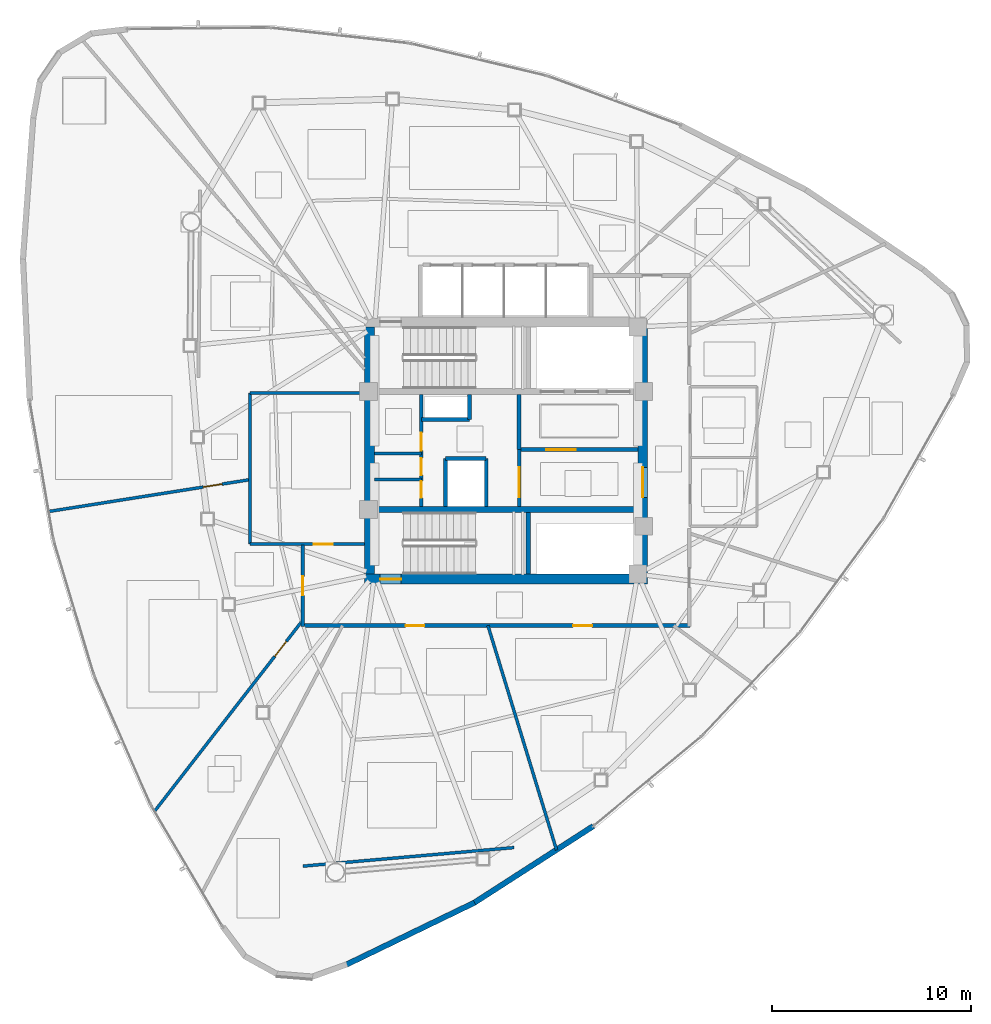
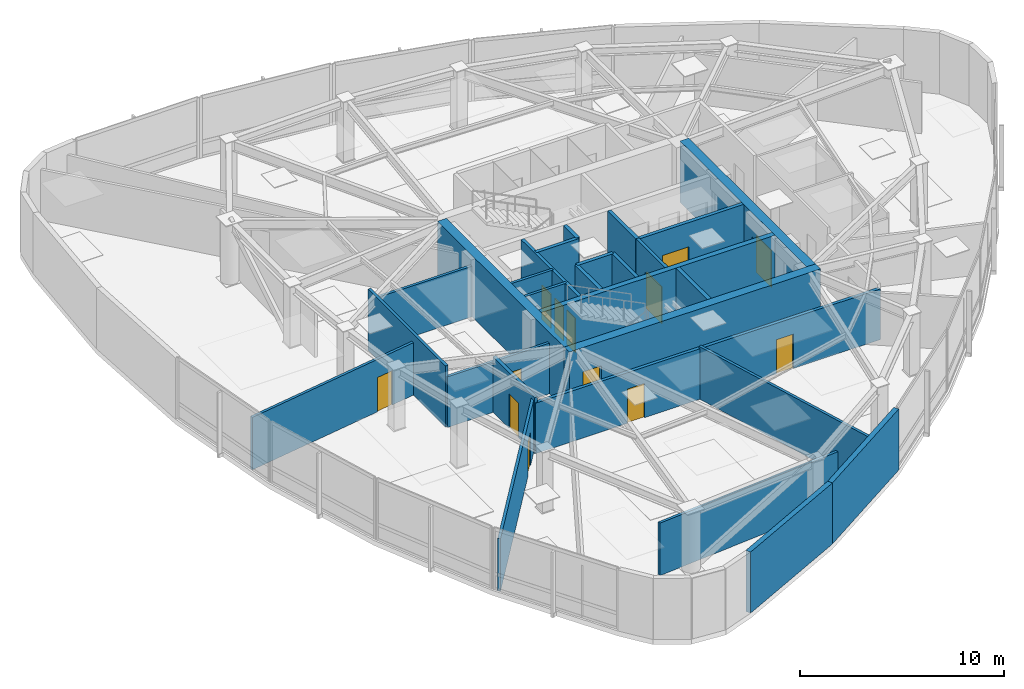
# One storey, part 10 of 15: 27 walls, 13 doors, 13 openings.
"""IFC4 building model written with IfcOpenShell, lengths in metres."""

from ifc_helpers import new_model, si_unit, direction, frame, frame_2d, origin, place, context, subcontext, project, spatial, rectangle, extrude, material, layer, layer_set, type_object, element, fill, save


model = new_model("IFC4")

# Units and contexts
model_context = context("Model", 3, precision=1e-05, world=origin(), true_north=direction((0.0, 1.0)))
body_context = subcontext(model_context, "Body", "Model", "MODEL_VIEW")
ifc_project = project(units=[si_unit("LENGTHUNIT", "METRE"), si_unit("AREAUNIT", "SQUARE_METRE"), si_unit("VOLUMEUNIT", "CUBIC_METRE"), si_unit("PLANEANGLEUNIT", "RADIAN"), si_unit("MASSUNIT", "GRAM", prefix="KILO")], contexts=[model_context])

# Site, building, storey
site_placement = place(None, origin())
site = spatial("IfcSite", under=ifc_project, at=site_placement, CompositionType="ELEMENT")
building_placement = place(site_placement, origin())
building = spatial("IfcBuilding", under=site, at=building_placement, Name="Tavelor Broadcast Tower", CompositionType="ELEMENT")
storey_placement = place(building_placement, frame((0.0, 0.0, 222.14990234375)))
storey = spatial("IfcBuildingStorey", under=building, at=storey_placement, Name="L52", CompositionType="ELEMENT", Elevation=222.14990234375)

# Wall, opening, door
ifc_material_1 = material(Name="Concrete C50/60", Category="concrete")
ifc_layer_1 = layer(ifc_material_1, 0.5)
ifc_layer_set_1 = layer_set([ifc_layer_1], Name="Concrete C50/60")
wall_type_1 = type_object("IfcWallType", Name="Core Shear Wall 500 mm", PredefinedType="SHEAR", material=ifc_layer_set_1)
wall_1_placement = place(storey_placement, frame((42.89990234375, 38.550048828125, 0.0), z_axis=(0.0, 0.0, 1.0), x_axis=(1.0, 0.0, 0.0)))
wall_1 = element("IfcWall", 1, at=wall_1_placement, inside=storey, type_object=wall_type_1, Name="L52 Central Core Shear Wall S", PredefinedType="SHEAR", context=body_context, shape_type="SweptSolid", body=[
    extrude(rectangle(XDim=14.2001953125, YDim=0.5, at=frame_2d((7.10009765625, 0.0))), origin(), (0.0, 0.0, 1.0), 3.650146484375),
])
opening_1_placement = place(wall_1_placement, frame((0.780029296875, 0.0, 0.0)))
opening_1 = element("IfcOpeningElement", 2, at=opening_1_placement, cuts=wall_1, Name="Opening DR11", PredefinedType="OPENING", context=body_context, shape_type="SweptSolid", body=[
    extrude(rectangle(XDim=1.050048828125, YDim=2.199951171875, at=frame_2d((0.52490234375, 1.10009765625))), frame((0.0, 0.260009765625, 0.0), z_axis=(0.0, -1.0, 0.0), x_axis=(1.0, 0.0, 0.0)), (0.0, 0.0, 1.0), 0.52001953125),
])
ifc_material_2 = material(Name="Steel S355", Category="steel")
door_type_1 = type_object("IfcDoorType", Name="Stair Core Fire Escape Door 1050x2200", OperationType="NOTDEFINED", PredefinedType="DOOR", material=ifc_material_2)
door_1_placement = place(opening_1_placement, origin())
door_1 = element("IfcDoor", 3, at=door_1_placement, inside=storey, type_object=door_type_1, Name="L52 Stair ST2 Protected Exit Door", OperationType="SINGLE_SWING_RIGHT", OverallHeight=2.199951171875, OverallWidth=1.050048828125, PredefinedType="DOOR", context=body_context, shape_type="SweptSolid", body=[
    extrude(rectangle(XDim=1.050048828125, YDim=2.199951171875, at=frame_2d((0.52490234375, 1.10009765625))), frame((0.0, 0.02490234375, 0.0), z_axis=(0.0, -1.0, 0.0), x_axis=(1.0, 0.0, 0.0)), (0.0, 0.0, 1.0), 0.050048828125),
])
fill(opening_1, door_1)

# Wall
wall_2_placement = place(storey_placement, frame((43.14990234375, 38.800048828125, 0.0), z_axis=(0.0, 0.0, 1.0), x_axis=(0.0, 1.0, 0.0)))
element("IfcWall", 4, at=wall_2_placement, inside=storey, type_object=wall_type_1, Name="L52 Central Core Shear Wall W", PredefinedType="SHEAR", context=body_context, shape_type="SweptSolid", body=[
    extrude(rectangle(XDim=12.39990234375, YDim=0.5, at=frame_2d((6.199951171875, 0.0))), origin(), (0.0, 0.0, 1.0), 3.650146484375),
])

# Wall, opening, door
wall_3_placement = place(storey_placement, frame((56.85009765625, 38.800048828125, 0.0), z_axis=(0.0, 0.0, 1.0), x_axis=(0.0, 1.0, 0.0)))
wall_3 = element("IfcWall", 5, at=wall_3_placement, inside=storey, type_object=wall_type_1, Name="L52 Central Core Shear Wall E", PredefinedType="SHEAR", context=body_context, shape_type="SweptSolid", body=[
    extrude(rectangle(XDim=12.39990234375, YDim=0.5, at=frame_2d((6.199951171875, 0.0))), origin(), (0.0, 0.0, 1.0), 3.650146484375),
])
opening_2_placement = place(wall_3_placement, frame((3.85009765625, 0.0, 0.0)))
opening_2 = element("IfcOpeningElement", 6, at=opening_2_placement, cuts=wall_3, Name="Opening DR14", PredefinedType="OPENING", context=body_context, shape_type="SweptSolid", body=[
    extrude(rectangle(XDim=1.5, YDim=2.199951171875, at=frame_2d((0.75, 1.10009765625))), frame((0.0, 0.260009765625, 0.0), z_axis=(0.0, -1.0, 0.0), x_axis=(1.0, 0.0, 0.0)), (0.0, 0.0, 1.0), 0.52001953125),
])
door_type_2 = type_object("IfcDoorType", Name="Firefighting Lobby Double Fire Door 1500x2200", OperationType="NOTDEFINED", PredefinedType="DOOR", material=ifc_material_2)
door_2_placement = place(opening_2_placement, origin())
door_2 = element("IfcDoor", 7, at=door_2_placement, inside=storey, type_object=door_type_2, Name="L52 Central Core Lobby Fire Door", OperationType="SINGLE_SWING_RIGHT", OverallHeight=2.199951171875, OverallWidth=1.5, PredefinedType="DOOR", context=body_context, shape_type="SweptSolid", body=[
    extrude(rectangle(XDim=1.5, YDim=2.199951171875, at=frame_2d((0.75, 1.10009765625))), frame((0.0, 0.02490234375, 0.0), z_axis=(0.0, -1.0, 0.0), x_axis=(1.0, 0.0, 0.0)), (0.0, 0.0, 1.0), 0.050048828125),
])
fill(opening_2, door_2)

# Wall
ifc_layer_2 = layer(ifc_material_1, 0.300048828125)
ifc_layer_set_2 = layer_set([ifc_layer_2], Name="Concrete C50/60")
wall_type_2 = type_object("IfcWallType", Name="Core Spine Shear Wall 300 mm C50", PredefinedType="SHEAR", material=ifc_layer_set_2)
wall_4_placement = place(storey_placement, frame((43.39990234375, 42.050048828125, 0.0), z_axis=(0.0, 0.0, 1.0), x_axis=(1.0, 0.0, 0.0)))
element("IfcWall", 8, at=wall_4_placement, inside=storey, type_object=wall_type_2, Name="L52 Central Core Shear Wall SP2", PredefinedType="SHEAR", context=body_context, shape_type="SweptSolid", body=[
    extrude(rectangle(XDim=13.2001953125, YDim=0.300048828125, at=frame_2d((6.60009765625, 0.0))), origin(), (0.0, 0.0, 1.0), 3.650146484375),
])

# Wall, opening, door
ifc_material_3 = material(Name="Calcium Silicate Fire Board 180 mm", Category="gypsum")
ifc_layer_3 = layer(ifc_material_3, 0.179931640625)
ifc_layer_set_3 = layer_set([ifc_layer_3], Name="Calcium Silicate Fire Board 180 mm")
wall_type_3 = type_object("IfcWallType", Name="Fire-Rated Corridor Partition Wall 180 mm", PredefinedType="PARTITIONING", material=ifc_layer_set_3)
wall_5_placement = place(storey_placement, frame((50.64990234375, 42.199951171875, 0.0), z_axis=(0.0, 0.0, 1.0), x_axis=(0.0, 1.0, 0.0)))
wall_5 = element("IfcWall", 9, at=wall_5_placement, inside=storey, type_object=wall_type_3, Name="L52 Core Lobby Zoning Wall", PredefinedType="PARTITIONING", context=body_context, shape_type="SweptSolid", body=[
    extrude(rectangle(XDim=2.85009765625, YDim=0.179931640625, at=frame_2d((1.425048828125, 0.0))), origin(), (0.0, 0.0, 1.0), 3.650146484375),
])
opening_3_placement = place(wall_5_placement, frame((0.449951171875, 0.0, 0.0)))
opening_3 = element("IfcOpeningElement", 10, at=opening_3_placement, cuts=wall_5, Name="Opening DR14", PredefinedType="OPENING", context=body_context, shape_type="SweptSolid", body=[
    extrude(rectangle(XDim=1.5, YDim=2.199951171875, at=frame_2d((0.75, 1.10009765625))), frame((0.0, 0.10009765625, 0.0), z_axis=(0.0, -1.0, 0.0), x_axis=(1.0, 0.0, 0.0)), (0.0, 0.0, 1.0), 0.199951171875),
])
door_3_placement = place(opening_3_placement, origin())
door_3 = element("IfcDoor", 11, at=door_3_placement, inside=storey, type_object=door_type_2, Name="L52 Core West Lobby Double Fire Door", OperationType="SINGLE_SWING_RIGHT", OverallHeight=2.199951171875, OverallWidth=1.5, PredefinedType="DOOR", context=body_context, shape_type="SweptSolid", body=[
    extrude(rectangle(XDim=1.5, YDim=2.199951171875, at=frame_2d((0.75, 1.10009765625))), frame((0.0, 0.02490234375, 0.0), z_axis=(0.0, -1.0, 0.0), x_axis=(1.0, 0.0, 0.0)), (0.0, 0.0, 1.0), 0.050048828125),
])
fill(opening_3, door_3)

# Wall, openings, doors
wall_6_placement = place(storey_placement, frame((45.75, 42.199951171875, 0.0), z_axis=(0.0, 0.0, 1.0), x_axis=(0.0, 1.0, 0.0)))
wall_6 = element("IfcWall", 12, at=wall_6_placement, inside=storey, type_object=wall_type_3, Name="L52 Core West Service East Wall", PredefinedType="PARTITIONING", context=body_context, shape_type="SweptSolid", body=[
    extrude(rectangle(XDim=5.60009765625, YDim=0.179931640625, at=frame_2d((2.800048828125, 0.0))), origin(), (0.0, 0.0, 1.0), 3.650146484375),
])
opening_4_placement = place(wall_6_placement, frame((0.419921875, 0.0, 0.0)))
opening_4 = element("IfcOpeningElement", 13, at=opening_4_placement, cuts=wall_6, Name="Opening DR36", PredefinedType="OPENING", context=body_context, shape_type="SweptSolid", body=[
    extrude(rectangle(XDim=0.85009765625, YDim=2.050048828125, at=frame_2d((0.425048828125, 1.02490234375))), frame((0.0, 0.10009765625, 0.0), z_axis=(0.0, -1.0, 0.0), x_axis=(1.0, 0.0, 0.0)), (0.0, 0.0, 1.0), 0.199951171875),
])
opening_5_placement = place(wall_6_placement, frame((1.570068359375, 0.0, 0.0)))
opening_5 = element("IfcOpeningElement", 14, at=opening_5_placement, cuts=wall_6, Name="Opening DR36", PredefinedType="OPENING", context=body_context, shape_type="SweptSolid", body=[
    extrude(rectangle(XDim=0.85009765625, YDim=2.050048828125, at=frame_2d((0.425048828125, 1.02490234375))), frame((0.0, 0.10009765625, 0.0), z_axis=(0.0, -1.0, 0.0), x_axis=(1.0, 0.0, 0.0)), (0.0, 0.0, 1.0), 0.199951171875),
])
opening_6_placement = place(wall_6_placement, frame((2.800048828125, 0.0, 0.0)))
opening_6 = element("IfcOpeningElement", 15, at=opening_6_placement, cuts=wall_6, Name="Opening DR32", PredefinedType="OPENING", context=body_context, shape_type="SweptSolid", body=[
    extrude(rectangle(XDim=0.89990234375, YDim=2.050048828125, at=frame_2d((0.449951171875, 1.02490234375))), frame((0.0, 0.10009765625, 0.0), z_axis=(0.0, -1.0, 0.0), x_axis=(1.0, 0.0, 0.0)), (0.0, 0.0, 1.0), 0.199951171875),
])
ifc_material_4 = material(Name="Timber Solid Core Hardwood", Category="wood")
door_type_3 = type_object("IfcDoorType", Name="Accessible Washroom Door 900x2050", OperationType="NOTDEFINED", PredefinedType="DOOR", material=ifc_material_4)
door_4_placement = place(opening_6_placement, origin())
door_4 = element("IfcDoor", 16, at=door_4_placement, inside=storey, type_object=door_type_3, Name="L52 Core Accessible WC Door", OperationType="SINGLE_SWING_LEFT", OverallHeight=2.050048828125, OverallWidth=0.89990234375, PredefinedType="DOOR", context=body_context, shape_type="SweptSolid", body=[
    extrude(rectangle(XDim=0.89990234375, YDim=2.050048828125, at=frame_2d((0.449951171875, 1.02490234375))), frame((0.0, 0.02490234375, 0.0), z_axis=(0.0, -1.0, 0.0), x_axis=(1.0, 0.0, 0.0)), (0.0, 0.0, 1.0), 0.050048828125),
])
fill(opening_6, door_4)
door_type_4 = type_object("IfcDoorType", Name="Service Room Fire Door 850x2050", OperationType="NOTDEFINED", PredefinedType="DOOR", material=ifc_material_2)
door_5_placement = place(opening_4_placement, origin())
door_5 = element("IfcDoor", 17, at=door_5_placement, inside=storey, type_object=door_type_4, Name="L52 Core Medical Room Door", OperationType="SINGLE_SWING_LEFT", OverallHeight=2.050048828125, OverallWidth=0.85009765625, PredefinedType="DOOR", context=body_context, shape_type="SweptSolid", body=[
    extrude(rectangle(XDim=0.85009765625, YDim=2.050048828125, at=frame_2d((0.425048828125, 1.02490234375))), frame((0.0, 0.02490234375, 0.0), z_axis=(0.0, -1.0, 0.0), x_axis=(1.0, 0.0, 0.0)), (0.0, 0.0, 1.0), 0.050048828125),
])
fill(opening_4, door_5)
door_6_placement = place(opening_5_placement, origin())
door_6 = element("IfcDoor", 18, at=door_6_placement, inside=storey, type_object=door_type_4, Name="L52 Core Copy Room Door", OperationType="SINGLE_SWING_RIGHT", OverallHeight=2.050048828125, OverallWidth=0.85009765625, PredefinedType="DOOR", context=body_context, shape_type="SweptSolid", body=[
    extrude(rectangle(XDim=0.85009765625, YDim=2.050048828125, at=frame_2d((0.425048828125, 1.02490234375))), frame((0.0, 0.02490234375, 0.0), z_axis=(0.0, -1.0, 0.0), x_axis=(1.0, 0.0, 0.0)), (0.0, 0.0, 1.0), 0.050048828125),
])
fill(opening_5, door_6)

wall_7_placement = place(storey_placement, frame((59.22998046875, 36.219970703125, 0.0), z_axis=(0.0, 0.0, 1.0), x_axis=(-1.0, 0.0, 0.0)))
wall_7 = element("IfcWall", 19, at=wall_7_placement, inside=storey, type_object=wall_type_3, Name="L52 Corridor Compartment Wall 04", PredefinedType="PARTITIONING", context=body_context, shape_type="SweptSolid", body=[
    extrude(rectangle(XDim=19.47998046875, YDim=0.179931640625, at=frame_2d((9.739990234375, 0.0))), origin(), (0.0, 0.0, 1.0), 3.025146484375),
])
opening_7_placement = place(wall_7_placement, frame((4.91650390625, 0.0, 0.0)))
opening_7 = element("IfcOpeningElement", 20, at=opening_7_placement, cuts=wall_7, Name="Opening DR18", PredefinedType="OPENING", context=body_context, shape_type="SweptSolid", body=[
    extrude(rectangle(XDim=0.949951171875, YDim=2.050048828125, at=frame_2d((0.47509765625, 1.02490234375))), frame((0.0, 0.10009765625, 0.0), z_axis=(0.0, -1.0, 0.0), x_axis=(1.0, 0.0, 0.0)), (0.0, 0.0, 1.0), 0.199951171875),
])
opening_8_placement = place(wall_7_placement, frame((13.327880859375, 0.0, 0.0)))
opening_8 = element("IfcOpeningElement", 21, at=opening_8_placement, cuts=wall_7, Name="Opening DR18", PredefinedType="OPENING", context=body_context, shape_type="SweptSolid", body=[
    extrude(rectangle(XDim=0.949951171875, YDim=2.050048828125, at=frame_2d((0.47509765625, 1.02490234375))), frame((0.0, 0.10009765625, 0.0), z_axis=(0.0, -1.0, 0.0), x_axis=(1.0, 0.0, 0.0)), (0.0, 0.0, 1.0), 0.199951171875),
])
door_type_5 = type_object("IfcDoorType", Name="Corridor Rated Compartment Door 950x2050", OperationType="NOTDEFINED", PredefinedType="DOOR", material=ifc_material_4)
door_7_placement = place(opening_7_placement, origin())
door_7 = element("IfcDoor", 22, at=door_7_placement, inside=storey, type_object=door_type_5, Name="L52 Satellite Control Room Door R3", OperationType="SINGLE_SWING_RIGHT", OverallHeight=2.050048828125, OverallWidth=0.949951171875, PredefinedType="DOOR", context=body_context, shape_type="SweptSolid", body=[
    extrude(rectangle(XDim=0.949951171875, YDim=2.050048828125, at=frame_2d((0.47509765625, 1.02490234375))), frame((0.0, 0.02490234375, 0.0), z_axis=(0.0, -1.0, 0.0), x_axis=(1.0, 0.0, 0.0)), (0.0, 0.0, 1.0), 0.050048828125),
])
fill(opening_7, door_7)
door_8_placement = place(opening_8_placement, origin())
door_8 = element("IfcDoor", 23, at=door_8_placement, inside=storey, type_object=door_type_5, Name="L52 Broadcast Crew Room Door R4", OperationType="SINGLE_SWING_LEFT", OverallHeight=2.050048828125, OverallWidth=0.949951171875, PredefinedType="DOOR", context=body_context, shape_type="SweptSolid", body=[
    extrude(rectangle(XDim=0.949951171875, YDim=2.050048828125, at=frame_2d((0.47509765625, 1.02490234375))), frame((0.0, 0.02490234375, 0.0), z_axis=(0.0, -1.0, 0.0), x_axis=(1.0, 0.0, 0.0)), (0.0, 0.0, 1.0), 0.050048828125),
])
fill(opening_8, door_8)

# Wall, opening, door
wall_8_placement = place(storey_placement, frame((39.800048828125, 36.169921875, 0.0), z_axis=(0.0, 0.0, 1.0), x_axis=(0.0, 1.0, 0.0)))
wall_8 = element("IfcWall", 24, at=wall_8_placement, inside=storey, type_object=wall_type_3, Name="L52 Corridor Compartment Wall 05", PredefinedType="PARTITIONING", context=body_context, shape_type="SweptSolid", body=[
    extrude(rectangle(XDim=4.080078125, YDim=0.179931640625, at=frame_2d((2.0400390625, 0.0))), origin(), (0.0, 0.0, 1.0), 3.3251953125),
])
opening_9_placement = place(wall_8_placement, frame((1.56494140625, 0.0, 0.0)))
opening_9 = element("IfcOpeningElement", 25, at=opening_9_placement, cuts=wall_8, Name="Opening DR18", PredefinedType="OPENING", context=body_context, shape_type="SweptSolid", body=[
    extrude(rectangle(XDim=0.949951171875, YDim=2.050048828125, at=frame_2d((0.47509765625, 1.02490234375))), frame((0.0, 0.10009765625, 0.0), z_axis=(0.0, -1.0, 0.0), x_axis=(1.0, 0.0, 0.0)), (0.0, 0.0, 1.0), 0.199951171875),
])
door_9_placement = place(opening_9_placement, origin())
door_9 = element("IfcDoor", 26, at=door_9_placement, inside=storey, type_object=door_type_5, Name="L52 Broadcast Production Studio Door R6", OperationType="SINGLE_SWING_RIGHT", OverallHeight=2.050048828125, OverallWidth=0.949951171875, PredefinedType="DOOR", context=body_context, shape_type="SweptSolid", body=[
    extrude(rectangle(XDim=0.949951171875, YDim=2.050048828125, at=frame_2d((0.47509765625, 1.02490234375))), frame((0.0, 0.02490234375, 0.0), z_axis=(0.0, -1.0, 0.0), x_axis=(1.0, 0.0, 0.0)), (0.0, 0.0, 1.0), 0.050048828125),
])
fill(opening_9, door_9)

# Walls
ifc_material_5 = material(Name="Precast Concrete C40/50", Category="concrete")
ifc_layer_4 = layer(ifc_material_5, 0.280029296875)
ifc_layer_set_4 = layer_set([ifc_layer_4], Name="Precast Concrete C40/50")
wall_type_4 = type_object("IfcWallType", Name="Insulated Precast Terracotta Facade Wall 280 mm", PredefinedType="STANDARD", material=ifc_layer_set_4)
wall_9_placement = place(storey_placement, frame((41.9912109375, 19.212890625, 0.0), z_axis=(0.0, 0.0, 1.0), x_axis=(0.900143666149, 0.435593136186, 0.0)))
element("IfcWall", 27, at=wall_9_placement, inside=storey, type_object=wall_type_4, Name="L52 Rounded Corner Structural Cladding Pier 15", PredefinedType="STANDARD", context=body_context, shape_type="SweptSolid", body=[
    extrude(rectangle(XDim=7.132568359375, YDim=0.280029296875, at=frame_2d((3.56640625, 0.0))), origin(), (0.0, 0.0, 1.0), 3.650146484375),
])
wall_10_placement = place(storey_placement, frame((48.385498046875, 22.305419921875, 0.0), z_axis=(0.0, 0.0, 1.0), x_axis=(0.840810674166, 0.541329299234, 0.0)))
element("IfcWall", 28, at=wall_10_placement, inside=storey, type_object=wall_type_4, Name="L52 Rounded Corner Structural Cladding Pier 16", PredefinedType="STANDARD", context=body_context, shape_type="SweptSolid", body=[
    extrude(rectangle(XDim=7.120849609375, YDim=0.280029296875, at=frame_2d((3.560546875, 0.0))), origin(), (0.0, 0.0, 1.0), 3.650146484375),
])
ifc_material_6 = material(Name="Gypsum Acoustic Plasterboard 150 mm", Category="gypsum")
ifc_layer_5 = layer(ifc_material_6, 0.14990234375)
ifc_layer_set_5 = layer_set([ifc_layer_5], Name="Gypsum Acoustic Plasterboard 150 mm")
wall_type_5 = type_object("IfcWallType", Name="Interior Acoustic Partition Wall 150 mm", PredefinedType="PARTITIONING", material=ifc_layer_set_5)
for number, where, z_axis, x_axis, name in (
    (29, (43.39990234375, 43.550048828125, 0.0), (0.0, 0.0, 1.0), (1.0, 0.0, 0.0), "L52 Core Split Wall B1"),
    (30, (43.39990234375, 44.85009765625, 0.0), (0.0, 0.0, 1.0), (1.0, 0.0, 0.0), "L52 Core Split Wall B2"),
):
    element("IfcWall", number, at=place(storey_placement, frame(where, z_axis=z_axis, x_axis=x_axis)), inside=storey, type_object=wall_type_5, Name=name, PredefinedType="PARTITIONING", context=body_context, shape_type="SweptSolid", body=[
        extrude(rectangle(XDim=2.35009765625, YDim=0.14990234375, at=frame_2d((1.175048828125, 0.0))), origin(), (0.0, 0.0, 1.0), 3.650146484375),
    ])
wall_11_placement = place(storey_placement, frame((39.807861328125, 24.15185546875, 0.0), z_axis=(0.0, 0.0, 1.0), x_axis=(0.996153584085, 0.087624408208, 0.0)))
element("IfcWall", 31, at=wall_11_placement, inside=storey, type_object=wall_type_5, Name="L52 Corner Tube Brace Furring Wall 2", PredefinedType="PARTITIONING", context=body_context, shape_type="SweptSolid", body=[
    extrude(rectangle(XDim=10.63232421875, YDim=0.14990234375, at=frame_2d((5.316162109375, 0.0))), origin(), (0.0, 0.0, 1.0), 3.135009765625),
])

# Wall, opening, door
wall_12_placement = place(storey_placement, frame((37.139892578125, 40.300048828125, 0.0), z_axis=(0.0, 0.0, 1.0), x_axis=(1.0, 0.0, 0.0)))
wall_12 = element("IfcWall", 32, at=wall_12_placement, inside=storey, type_object=wall_type_5, Name="L52 Reclaimed Shaft Pantry South Wall", PredefinedType="PARTITIONING", context=body_context, shape_type="SweptSolid", body=[
    extrude(rectangle(XDim=5.760009765625, YDim=0.14990234375, at=frame_2d((2.8798828125, 0.0))), origin(), (0.0, 0.0, 1.0), 3.025146484375),
])
opening_10_placement = place(wall_12_placement, frame((3.2099609375, 0.0, 0.0)))
opening_10 = element("IfcOpeningElement", 33, at=opening_10_placement, cuts=wall_12, Name="Opening DR18", PredefinedType="OPENING", context=body_context, shape_type="SweptSolid", body=[
    extrude(rectangle(XDim=0.949951171875, YDim=2.050048828125, at=frame_2d((0.47509765625, 1.02490234375))), frame((0.0, 0.0849609375, 0.0), z_axis=(0.0, -1.0, 0.0), x_axis=(1.0, 0.0, 0.0)), (0.0, 0.0, 1.0), 0.169921875),
])
door_10_placement = place(opening_10_placement, origin())
door_10 = element("IfcDoor", 34, at=door_10_placement, inside=storey, type_object=door_type_5, Name="L52 Broadcast IT Patch and Pantry Door", OperationType="SINGLE_SWING_LEFT", OverallHeight=2.050048828125, OverallWidth=0.949951171875, PredefinedType="DOOR", context=body_context, shape_type="SweptSolid", body=[
    extrude(rectangle(XDim=0.949951171875, YDim=2.050048828125, at=frame_2d((0.47509765625, 1.02490234375))), frame((0.0, 0.02490234375, 0.0), z_axis=(0.0, -1.0, 0.0), x_axis=(1.0, 0.0, 0.0)), (0.0, 0.0, 1.0), 0.050048828125),
])
fill(opening_10, door_10)

# Walls
wall_13_placement = place(storey_placement, frame((37.139892578125, 40.300048828125, 0.0), z_axis=(0.0, 0.0, 1.0), x_axis=(0.0, 1.0, 0.0)))
element("IfcWall", 35, at=wall_13_placement, inside=storey, type_object=wall_type_5, Name="L52 Reclaimed Shaft Pantry West Wall", PredefinedType="PARTITIONING", context=body_context, shape_type="SweptSolid", body=[
    extrude(rectangle(XDim=7.579833984375, YDim=0.14990234375, at=frame_2d((3.7900390625, 0.0))), origin(), (0.0, 0.0, 1.0), 3.650146484375),
])
wall_14_placement = place(storey_placement, frame((37.139892578125, 47.8798828125, 0.0), z_axis=(0.0, 0.0, 1.0), x_axis=(1.0, 0.0, 0.0)))
element("IfcWall", 36, at=wall_14_placement, inside=storey, type_object=wall_type_5, Name="L52 Reclaimed Shaft Pantry North Wall", PredefinedType="PARTITIONING", context=body_context, shape_type="SweptSolid", body=[
    extrude(rectangle(XDim=5.760009765625, YDim=0.14990234375, at=frame_2d((2.8798828125, 0.0))), origin(), (0.0, 0.0, 1.0), 3.025146484375),
])
wall_15_placement = place(storey_placement, frame((49.084228515625, 36.219970703125, 0.0), z_axis=(0.0, 0.0, 1.0), x_axis=(0.292373401992, -0.956304237054, 0.0)))
element("IfcWall", 37, at=wall_15_placement, inside=storey, type_object=wall_type_5, Name="L52 Radial Compartment Wall 01", PredefinedType="PARTITIONING", context=body_context, shape_type="SweptSolid", body=[
    extrude(rectangle(XDim=11.774658203125, YDim=0.14990234375, at=frame_2d((5.88720703125, 0.0))), origin(), (0.0, 0.0, 1.0), 3.135009765625),
])

# Wall, opening, door
wall_16_placement = place(storey_placement, frame((37.080078125, 43.5263671875, 0.0), z_axis=(0.0, 0.0, 1.0), x_axis=(-0.987725532743, -0.156199462122, 0.0)))
wall_16 = element("IfcWall", 38, at=wall_16_placement, inside=storey, type_object=wall_type_5, Name="L52 Radial Compartment Wall 08", PredefinedType="PARTITIONING", context=body_context, shape_type="SweptSolid", body=[
    extrude(rectangle(XDim=10.1611328125, YDim=0.14990234375, at=frame_2d((5.08056640625, 0.0))), origin(), (0.0, 0.0, 1.0), 3.135009765625),
])
opening_11_placement = place(wall_16_placement, frame((1.35009765625, 0.0, 0.0)))
opening_11 = element("IfcOpeningElement", 39, at=opening_11_placement, cuts=wall_16, Name="Opening DR18", PredefinedType="OPENING", context=body_context, shape_type="SweptSolid", body=[
    extrude(rectangle(XDim=0.949951171875, YDim=2.050048828125, at=frame_2d((0.47509765625, 1.02490234375))), frame((0.0, 0.0849609375, 0.0), z_axis=(0.0, -1.0, 0.0), x_axis=(1.0, 0.0, 0.0)), (0.0, 0.0, 1.0), 0.169921875),
])
door_11_placement = place(opening_11_placement, origin())
door_11 = element("IfcDoor", 40, at=door_11_placement, inside=storey, type_object=door_type_5, Name="L52 Suite Connecting Door 7", OperationType="SINGLE_SWING_LEFT", OverallHeight=2.050048828125, OverallWidth=0.949951171875, PredefinedType="DOOR", context=body_context, shape_type="SweptSolid", body=[
    extrude(rectangle(XDim=0.949951171875, YDim=2.050048828125, at=frame_2d((0.47509765625, 1.02490234375))), frame((0.0, 0.02490234375, 0.0), z_axis=(0.0, -1.0, 0.0), x_axis=(1.0, 0.0, 0.0)), (0.0, 0.0, 1.0), 0.050048828125),
])
fill(opening_11, door_11)

wall_17_placement = place(storey_placement, frame((39.800048828125, 36.4921875, 0.0), z_axis=(0.0, 0.0, 1.0), x_axis=(-0.612952103667, -0.790120065946, 0.0)))
wall_17 = element("IfcWall", 41, at=wall_17_placement, inside=storey, type_object=wall_type_5, Name="L52 Radial Compartment Wall 09", PredefinedType="PARTITIONING", context=body_context, shape_type="SweptSolid", body=[
    extrude(rectangle(XDim=12.145751953125, YDim=0.14990234375, at=frame_2d((6.07275390625, 0.0))), origin(), (0.0, 0.0, 1.0), 3.135009765625),
])
opening_12_placement = place(wall_17_placement, frame((1.35009765625, 0.0, 0.0)))
opening_12 = element("IfcOpeningElement", 42, at=opening_12_placement, cuts=wall_17, Name="Opening DR18", PredefinedType="OPENING", context=body_context, shape_type="SweptSolid", body=[
    extrude(rectangle(XDim=0.949951171875, YDim=2.050048828125, at=frame_2d((0.47509765625, 1.02490234375))), frame((0.0, 0.0849609375, 0.0), z_axis=(0.0, -1.0, 0.0), x_axis=(1.0, 0.0, 0.0)), (0.0, 0.0, 1.0), 0.169921875),
])
door_12_placement = place(opening_12_placement, origin())
door_12 = element("IfcDoor", 43, at=door_12_placement, inside=storey, type_object=door_type_5, Name="L52 Suite Connecting Door 5", OperationType="SINGLE_SWING_RIGHT", OverallHeight=2.050048828125, OverallWidth=0.949951171875, PredefinedType="DOOR", context=body_context, shape_type="SweptSolid", body=[
    extrude(rectangle(XDim=0.949951171875, YDim=2.050048828125, at=frame_2d((0.47509765625, 1.02490234375))), frame((0.0, 0.02490234375, 0.0), z_axis=(0.0, -1.0, 0.0), x_axis=(1.0, 0.0, 0.0)), (0.0, 0.0, 1.0), 0.050048828125),
])
fill(opening_12, door_12)

# Walls
ifc_material_7 = material(Name="Concrete Blockwork 200 mm", Category="masonry")
ifc_layer_6 = layer(ifc_material_7, 0.199951171875)
ifc_layer_set_6 = layer_set([ifc_layer_6], Name="Concrete Blockwork 200 mm")
wall_type_6 = type_object("IfcWallType", Name="Lift Hoistway Rated Front Wall 200 mm", PredefinedType="PARTITIONING", material=ifc_layer_set_6)
wall_18_placement = place(storey_placement, frame((49.0, 42.199951171875, 0.0), z_axis=(0.0, 0.0, 1.0), x_axis=(0.0, 1.0, 0.0)))
element("IfcWall", 44, at=wall_18_placement, inside=storey, type_object=wall_type_6, Name="L52 Mid-Rise Lift PLM4 Hoistway Front Wall", PredefinedType="PARTITIONING", context=body_context, shape_type="SweptSolid", body=[
    extrude(rectangle(XDim=2.400146484375, YDim=0.199951171875, at=frame_2d((1.2001953125, 0.0))), origin(), (0.0, 0.0, 1.0), 3.650146484375),
])
ifc_layer_7 = layer(ifc_material_7, 0.199951171875)
ifc_layer_set_7 = layer_set([ifc_layer_7], Name="Concrete Blockwork 200 mm")
wall_type_7 = type_object("IfcWallType", Name="Lift and Riser Shaft Enclosure Wall 200 mm", PredefinedType="PARTITIONING", material=ifc_layer_set_7)
wall_19_placement = place(storey_placement, frame((45.75, 46.550048828125, 0.0), z_axis=(0.0, 0.0, 1.0), x_axis=(1.0, 0.0, 0.0)))
element("IfcWall", 45, at=wall_19_placement, inside=storey, type_object=wall_type_7, Name="L52 Riser Shaft South Wall", PredefinedType="PARTITIONING", context=body_context, shape_type="SweptSolid", body=[
    extrude(rectangle(XDim=2.39990234375, YDim=0.199951171875, at=frame_2d((1.199951171875, 0.0))), origin(), (0.0, 0.0, 1.0), 3.650146484375),
])
wall_20_placement = place(storey_placement, frame((48.14990234375, 46.550048828125, 0.0), z_axis=(0.0, 0.0, 1.0), x_axis=(0.0, 1.0, 0.0)))
element("IfcWall", 46, at=wall_20_placement, inside=storey, type_object=wall_type_7, Name="L52 Riser Shaft East Wall", PredefinedType="PARTITIONING", context=body_context, shape_type="SweptSolid", body=[
    extrude(rectangle(XDim=1.25, YDim=0.199951171875, at=frame_2d((0.625, 0.0))), origin(), (0.0, 0.0, 1.0), 3.650146484375),
])
wall_21_placement = place(storey_placement, frame((46.949951171875, 42.199951171875, 0.0), z_axis=(0.0, 0.0, 1.0), x_axis=(0.0, 1.0, 0.0)))
element("IfcWall", 47, at=wall_21_placement, inside=storey, type_object=wall_type_7, Name="L52 Mid-Rise Lift PLM4 West Wall", PredefinedType="PARTITIONING", context=body_context, shape_type="SweptSolid", body=[
    extrude(rectangle(XDim=2.400146484375, YDim=0.199951171875, at=frame_2d((1.2001953125, 0.0))), origin(), (0.0, 0.0, 1.0), 3.650146484375),
])
wall_22_placement = place(storey_placement, frame((46.949951171875, 44.60009765625, 0.0), z_axis=(0.0, 0.0, 1.0), x_axis=(1.0, 0.0, 0.0)))
element("IfcWall", 48, at=wall_22_placement, inside=storey, type_object=wall_type_7, Name="L52 Mid-Rise Lift PLM4 North Wall", PredefinedType="PARTITIONING", context=body_context, shape_type="SweptSolid", body=[
    extrude(rectangle(XDim=2.050048828125, YDim=0.199951171875, at=frame_2d((1.02490234375, 0.0))), origin(), (0.0, 0.0, 1.0), 3.650146484375),
])

# Wall, opening, door
wall_23_placement = place(storey_placement, frame((50.64990234375, 45.050048828125, 0.0), z_axis=(0.0, 0.0, 1.0), x_axis=(1.0, 0.0, 0.0)))
wall_23 = element("IfcWall", 49, at=wall_23_placement, inside=storey, type_object=wall_type_7, Name="L52 Firefighting Lobby South Wall", PredefinedType="PARTITIONING", context=body_context, shape_type="SweptSolid", body=[
    extrude(rectangle(XDim=5.9501953125, YDim=0.199951171875, at=frame_2d((2.97509765625, 0.0))), origin(), (0.0, 0.0, 1.0), 3.650146484375),
])
opening_13_placement = place(wall_23_placement, frame((1.35009765625, 0.0, 0.0)))
opening_13 = element("IfcOpeningElement", 50, at=opening_13_placement, cuts=wall_23, Name="Opening DR14", PredefinedType="OPENING", context=body_context, shape_type="SweptSolid", body=[
    extrude(rectangle(XDim=1.5, YDim=2.199951171875, at=frame_2d((0.75, 1.10009765625))), frame((0.0, 0.10986328125, 0.0), z_axis=(0.0, -1.0, 0.0), x_axis=(1.0, 0.0, 0.0)), (0.0, 0.0, 1.0), 0.219970703125),
])
door_13_placement = place(opening_13_placement, origin())
door_13 = element("IfcDoor", 51, at=door_13_placement, inside=storey, type_object=door_type_2, Name="L52 Firefighting Lobby Compartment Door", OperationType="SINGLE_SWING_LEFT", OverallHeight=2.199951171875, OverallWidth=1.5, PredefinedType="DOOR", context=body_context, shape_type="SweptSolid", body=[
    extrude(rectangle(XDim=1.5, YDim=2.199951171875, at=frame_2d((0.75, 1.10009765625))), frame((0.0, 0.02490234375, 0.0), z_axis=(0.0, -1.0, 0.0), x_axis=(1.0, 0.0, 0.0)), (0.0, 0.0, 1.0), 0.050048828125),
])
fill(opening_13, door_13)

# Walls
wall_24_placement = place(storey_placement, frame((50.64990234375, 45.050048828125, 0.0), z_axis=(0.0, 0.0, 1.0), x_axis=(0.0, 1.0, 0.0)))
element("IfcWall", 52, at=wall_24_placement, inside=storey, type_object=wall_type_7, Name="L52 Firefighting Lobby West Wall", PredefinedType="PARTITIONING", context=body_context, shape_type="SweptSolid", body=[
    extrude(rectangle(XDim=2.75, YDim=0.199951171875, at=frame_2d((1.375, 0.0))), origin(), (0.0, 0.0, 1.0), 3.650146484375),
])
ifc_material_8 = material(Name="Concrete C40/50", Category="concrete")
ifc_layer_8 = layer(ifc_material_8, 0.219970703125)
ifc_layer_set_8 = layer_set([ifc_layer_8], Name="Concrete C40/50")
wall_type_8 = type_object("IfcWallType", Name="Structural Stairwell Shear Wall 220 mm", PredefinedType="SHEAR", material=ifc_layer_set_8)
wall_25_placement = place(storey_placement, frame((51.110107421875, 38.800048828125, 0.0), z_axis=(0.0, 0.0, 1.0), x_axis=(0.0, 1.0, 0.0)))
element("IfcWall", 53, at=wall_25_placement, inside=storey, type_object=wall_type_8, Name="L52 Stair ST2 Structural Shaft Wall", PredefinedType="SHEAR", context=body_context, shape_type="SweptSolid", body=[
    extrude(rectangle(XDim=3.099853515625, YDim=0.219970703125, at=frame_2d((1.5498046875, 0.0))), origin(), (0.0, 0.0, 1.0), 3.650146484375),
])

save(model, "model.ifc")
